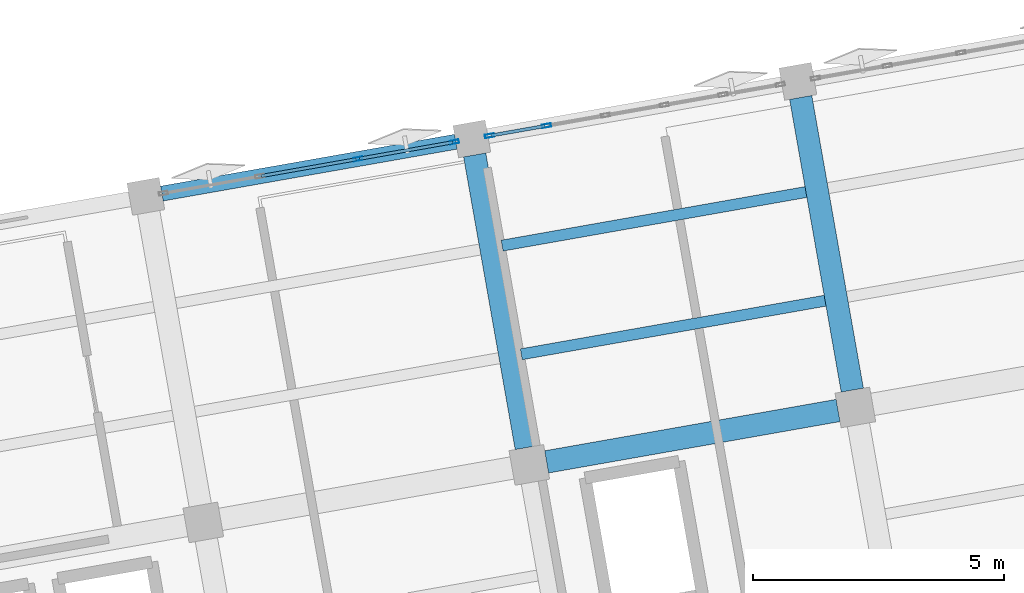
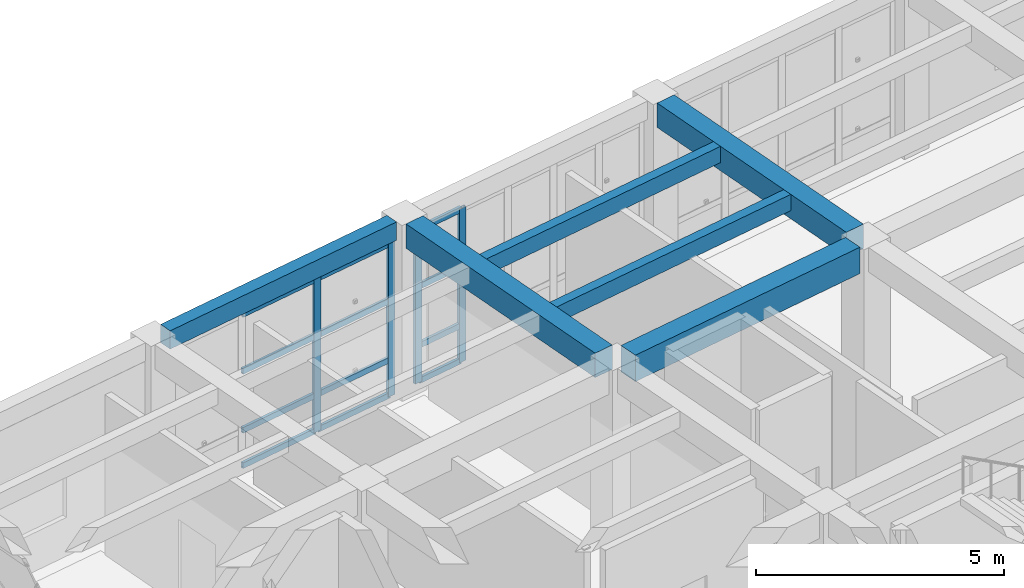
# One storey, part 8 of 39: 16 members, 6 beams, 2 elements without a shape of their own.
"""IFC4 building model written with IfcOpenShell, lengths in metres."""

from ifc_helpers import new_model, si_unit, direction, frame, origin, origin_2d, place, context, subcontext, project, spatial, rectangle, hollow_rectangle, extrude, material, layer, layer_set, material_profile, profile_set, type_object, element, aggregate, save


model = new_model("IFC4")

# Units and contexts
model_context = context("Model", 3, precision=1e-05, world=origin(), true_north=direction((0.0, 1.0)))
body_context = subcontext(model_context, "Body", "Model", "MODEL_VIEW")
ifc_project = project(units=[si_unit("LENGTHUNIT", "METRE"), si_unit("AREAUNIT", "SQUARE_METRE"), si_unit("VOLUMEUNIT", "CUBIC_METRE"), si_unit("PLANEANGLEUNIT", "RADIAN"), si_unit("MASSUNIT", "GRAM", prefix="KILO")], contexts=[model_context])

# Site, building, storey
site_placement = place(None, origin())
site = spatial("IfcSite", under=ifc_project, at=site_placement, CompositionType="ELEMENT")
building_placement = place(site_placement, origin())
building = spatial("IfcBuilding", under=site, at=building_placement, Name="Kharisveld Research Institute", CompositionType="ELEMENT")
storey_placement = place(building_placement, frame((0.0, 0.0, 18.60009765625)))
storey = spatial("IfcBuildingStorey", under=building, at=storey_placement, Name="L04", CompositionType="ELEMENT", Elevation=18.60009765625)

# Beams
ifc_material_1 = material(Name="Concrete C40/50", Category="concrete")
ifc_material_profile_1 = material_profile(ifc_material_1, rectangle(XDim=0.449951171875, YDim=0.60009765625, at=origin_2d()))
ifc_profile_set_1 = profile_set([ifc_material_profile_1], Name="Concrete C40/50")
beam_type_1 = type_object("IfcBeamType", Name="BM_RC_450x600", PredefinedType="BEAM", material=ifc_profile_set_1)
for number, where, z_axis, x_axis, name in (
    (1, (15.846435546875, 50.646240234375, 4.02001953125), (-0.173639592071, 0.984809266846, 0.0), (-0.984809266846, -0.173639592071, 0.0), "BM:V1:L04:V2_2"),
    (2, (22.34619140625, 51.79248046875, 4.02001953125), (-0.173639592071, 0.984809266846, 0.0), (-0.984809266846, -0.173639592071, 0.0), "BM:V1:L04:V3_2"),
):
    element("IfcBeam", number, at=place(storey_placement, frame(where, z_axis=z_axis, x_axis=x_axis)), inside=storey, type_object=beam_type_1, Name=name, PredefinedType="BEAM", context=body_context, shape_type="SweptSolid", body=[
        extrude(rectangle(XDim=0.449951171875, YDim=0.60009765625, at=origin_2d()), origin(), (0.0, 0.0, 1.0), 5.925048828125),
    ])
ifc_material_2 = material(Name="Concrete C40/50", Category="concrete")
ifc_material_profile_2 = material_profile(ifc_material_2, rectangle(XDim=0.449951171875, YDim=0.64990234375, at=origin_2d()))
ifc_profile_set_2 = profile_set([ifc_material_profile_2], Name="Concrete C40/50")
beam_type_2 = type_object("IfcBeamType", Name="BM_RC_450x650", PredefinedType="BEAM", material=ifc_profile_set_2)
beam_1_placement = place(storey_placement, frame((16.251953125, 50.3623046875, 3.994873046875), z_axis=(0.984803548023, 0.173672023659, 0.0), x_axis=(-0.173672023659, 0.984803548023, 0.0)))
element("IfcBeam", 3, at=beam_1_placement, inside=storey, type_object=beam_type_2, Name="BM:V1:L04:U2_2", PredefinedType="BEAM", context=body_context, shape_type="SweptSolid", body=[
    extrude(rectangle(XDim=0.449951171875, YDim=0.64990234375, at=origin_2d()), origin(), (0.0, 0.0, 1.0), 5.89990234375),
])

# Curtain wall, members
ifc_material_3 = material(Name="Thermally Broken Aluminium Curtain Wall", Category="aluminium")
ifc_layer_1 = layer(ifc_material_3, 0.159912109375)
ifc_layer_set_1 = layer_set([ifc_layer_1], Name="CW_SYS_06")
curtain_wall_type_1 = type_object("IfcCurtainWallType", Name="CW_SYS_06", PredefinedType="NOTDEFINED", material=ifc_layer_set_1)
curtain_wall_1_placement = place(storey_placement, origin())
curtain_wall_1 = element("IfcCurtainWall", 4, at=curtain_wall_1_placement, inside=storey, type_object=curtain_wall_type_1, Name="CW:V1:L04:N1", PredefinedType="NOTDEFINED")
ifc_material_4 = material(Name="Anodised Aluminium AW-6063-T6", Category="aluminium")
ifc_material_profile_3 = material_profile(ifc_material_4, hollow_rectangle(XDim=0.070068359375, YDim=0.179931640625, WallThickness=0.00439453125, at=origin_2d()))
ifc_profile_set_3 = profile_set([ifc_material_profile_3], Name="Anodised Aluminium AW-6063-T6")
member_type_1 = type_object("IfcMemberType", Name="CW_MUL_180", PredefinedType="MULLION", material=ifc_profile_set_3)
member_1_placement = place(storey_placement, frame((12.489501953125, 56.40087890625, 0.0), z_axis=(0.0, 0.0, 1.0), x_axis=(-0.173648295062, 0.984807732312, 0.0)))
member_1 = element("IfcMember", 5, at=member_1_placement, type_object=member_type_1, Name="CW-06 mullion 3", PredefinedType="MULLION", context=body_context, shape_type="SweptSolid", body=[
    extrude(hollow_rectangle(XDim=0.070068359375, YDim=0.179931640625, WallThickness=0.00439453125, at=origin_2d()), origin(), (0.0, 0.0, 1.0), 3.77978515625),
])
member_2_placement = place(storey_placement, frame((14.41162109375, 56.73974609375, 0.0), z_axis=(0.0, 0.0, 1.0), x_axis=(-0.173648295062, 0.984807732312, 0.0)))
member_2 = element("IfcMember", 6, at=member_2_placement, type_object=member_type_1, Name="CW-06 mullion 4", PredefinedType="MULLION", context=body_context, shape_type="SweptSolid", body=[
    extrude(hollow_rectangle(XDim=0.070068359375, YDim=0.179931640625, WallThickness=0.00439453125, at=origin_2d()), origin(), (0.0, 0.0, 1.0), 3.77978515625),
])

ifc_material_5 = material(Name="Thermally Broken Aluminium Curtain Wall", Category="aluminium")
ifc_layer_2 = layer(ifc_material_5, 0.159912109375)
ifc_layer_set_2 = layer_set([ifc_layer_2], Name="CW_SYS_01")
curtain_wall_type_2 = type_object("IfcCurtainWallType", Name="CW_SYS_01", PredefinedType="NOTDEFINED", material=ifc_layer_set_2)
curtain_wall_2_placement = place(storey_placement, origin())
curtain_wall_2 = element("IfcCurtainWall", 7, at=curtain_wall_2_placement, inside=storey, type_object=curtain_wall_type_2, Name="CW:V1:L04:N2", PredefinedType="NOTDEFINED")
member_3_placement = place(storey_placement, frame((15.11083984375, 56.863037109375, 0.0), z_axis=(0.0, 0.0, 1.0), x_axis=(-0.173648266375, 0.984807737371, 0.0)))
member_3 = element("IfcMember", 8, at=member_3_placement, type_object=member_type_1, Name="CW-01 mullion 1", PredefinedType="MULLION", context=body_context, shape_type="SweptSolid", body=[
    extrude(hollow_rectangle(XDim=0.070068359375, YDim=0.179931640625, WallThickness=0.00439453125, at=origin_2d()), origin(), (0.0, 0.0, 1.0), 3.77978515625),
])
member_4_placement = place(storey_placement, frame((16.250244140625, 57.06396484375, 0.0), z_axis=(0.0, 0.0, 1.0), x_axis=(-0.173648266375, 0.984807737371, 0.0)))
member_4 = element("IfcMember", 9, at=member_4_placement, type_object=member_type_1, Name="CW-01 mullion 2", PredefinedType="MULLION", context=body_context, shape_type="SweptSolid", body=[
    extrude(hollow_rectangle(XDim=0.070068359375, YDim=0.179931640625, WallThickness=0.00439453125, at=origin_2d()), origin(), (0.0, 0.0, 1.0), 3.77978515625),
])

# Member
ifc_material_6 = material(Name="Anodised Aluminium AW-6063-T6", Category="aluminium")
ifc_material_profile_4 = material_profile(ifc_material_6, hollow_rectangle(XDim=0.06494140625, YDim=0.139892578125, WallThickness=0.00390625, at=origin_2d()))
ifc_profile_set_4 = profile_set([ifc_material_profile_4], Name="Anodised Aluminium AW-6063-T6")
member_type_2 = type_object("IfcMemberType", Name="CW_TRN_140", PredefinedType="USERDEFINED", material=ifc_profile_set_4)
member_5_placement = place(storey_placement, frame((10.567626953125, 56.06201171875, 0.032470703125), z_axis=(0.984811758578, 0.173625459441, 0.0), x_axis=(-0.173625459441, 0.984811758578, 0.0)))
member_5 = element("IfcMember", 10, at=member_5_placement, type_object=member_type_2, Name="CW-06 transom 2.1", ObjectType="TRANSOM", PredefinedType="USERDEFINED", context=body_context, shape_type="SweptSolid", body=[
    extrude(hollow_rectangle(XDim=0.06494140625, YDim=0.139892578125, WallThickness=0.00390625, at=origin_2d()), origin(), (0.0, 0.0, 1.0), 1.91650390625),
])

member_6_placement = place(storey_placement, frame((10.567626953125, 56.06201171875, 0.89990234375), z_axis=(0.984811758578, 0.173625459441, 0.0), x_axis=(-0.173625459441, 0.984811758578, 0.0)))
member_6 = element("IfcMember", 11, at=member_6_placement, type_object=member_type_2, Name="CW-06 transom 2.2", ObjectType="TRANSOM", PredefinedType="USERDEFINED", context=body_context, shape_type="SweptSolid", body=[
    extrude(hollow_rectangle(XDim=0.06494140625, YDim=0.139892578125, WallThickness=0.00390625, at=origin_2d()), origin(), (0.0, 0.0, 1.0), 1.91650390625),
])

member_7_placement = place(storey_placement, frame((10.567626953125, 56.06201171875, 2.349853515625), z_axis=(0.984811758578, 0.173625459441, 0.0), x_axis=(-0.173625459441, 0.984811758578, 0.0)))
member_7 = element("IfcMember", 12, at=member_7_placement, type_object=member_type_2, Name="CW-06 transom 2.3", ObjectType="TRANSOM", PredefinedType="USERDEFINED", context=body_context, shape_type="SweptSolid", body=[
    extrude(hollow_rectangle(XDim=0.06494140625, YDim=0.139892578125, WallThickness=0.00390625, at=origin_2d()), origin(), (0.0, 0.0, 1.0), 1.91650390625),
])

member_8_placement = place(storey_placement, frame((10.567626953125, 56.06201171875, 3.747314453125), z_axis=(0.984811758578, 0.173625459441, 0.0), x_axis=(-0.173625459441, 0.984811758578, 0.0)))
member_8 = element("IfcMember", 13, at=member_8_placement, type_object=member_type_2, Name="CW-06 transom 2.4", ObjectType="TRANSOM", PredefinedType="USERDEFINED", context=body_context, shape_type="SweptSolid", body=[
    extrude(hollow_rectangle(XDim=0.06494140625, YDim=0.139892578125, WallThickness=0.00390625, at=origin_2d()), origin(), (0.0, 0.0, 1.0), 1.91650390625),
])

member_9_placement = place(storey_placement, frame((12.524169921875, 56.406982421875, 0.032470703125), z_axis=(0.984814892183, 0.173607684551, 0.0), x_axis=(-0.173607684551, 0.984814892183, 0.0)))
member_9 = element("IfcMember", 14, at=member_9_placement, type_object=member_type_2, Name="CW-06 transom 3.1", ObjectType="TRANSOM", PredefinedType="USERDEFINED", context=body_context, shape_type="SweptSolid", body=[
    extrude(hollow_rectangle(XDim=0.06494140625, YDim=0.139892578125, WallThickness=0.00390625, at=origin_2d()), origin(), (0.0, 0.0, 1.0), 1.881591796875),
])

member_10_placement = place(storey_placement, frame((12.524169921875, 56.406982421875, 0.89990234375), z_axis=(0.984814892183, 0.173607684551, 0.0), x_axis=(-0.173607684551, 0.984814892183, 0.0)))
member_10 = element("IfcMember", 15, at=member_10_placement, type_object=member_type_2, Name="CW-06 transom 3.2", ObjectType="TRANSOM", PredefinedType="USERDEFINED", context=body_context, shape_type="SweptSolid", body=[
    extrude(hollow_rectangle(XDim=0.06494140625, YDim=0.139892578125, WallThickness=0.00390625, at=origin_2d()), origin(), (0.0, 0.0, 1.0), 1.881591796875),
])

member_11_placement = place(storey_placement, frame((12.524169921875, 56.406982421875, 2.349853515625), z_axis=(0.984814892183, 0.173607684551, 0.0), x_axis=(-0.173607684551, 0.984814892183, 0.0)))
member_11 = element("IfcMember", 16, at=member_11_placement, type_object=member_type_2, Name="CW-06 transom 3.3", ObjectType="TRANSOM", PredefinedType="USERDEFINED", context=body_context, shape_type="SweptSolid", body=[
    extrude(hollow_rectangle(XDim=0.06494140625, YDim=0.139892578125, WallThickness=0.00390625, at=origin_2d()), origin(), (0.0, 0.0, 1.0), 1.881591796875),
])

member_12_placement = place(storey_placement, frame((12.524169921875, 56.406982421875, 3.747314453125), z_axis=(0.984814892183, 0.173607684551, 0.0), x_axis=(-0.173607684551, 0.984814892183, 0.0)))
member_12 = element("IfcMember", 17, at=member_12_placement, type_object=member_type_2, Name="CW-06 transom 3.4", ObjectType="TRANSOM", PredefinedType="USERDEFINED", context=body_context, shape_type="SweptSolid", body=[
    extrude(hollow_rectangle(XDim=0.06494140625, YDim=0.139892578125, WallThickness=0.00390625, at=origin_2d()), origin(), (0.0, 0.0, 1.0), 1.881591796875),
])

aggregate(curtain_wall_1, [member_1, member_2, member_5, member_6, member_7, member_8, member_9, member_10, member_11, member_12])

member_13_placement = place(storey_placement, frame((15.145263671875, 56.869140625, 0.032470703125), z_axis=(0.984815195723, 0.173605962667, 0.0), x_axis=(-0.173605962667, 0.984815195723, 0.0)))
member_13 = element("IfcMember", 18, at=member_13_placement, type_object=member_type_2, Name="CW-01 transom 1.1", ObjectType="TRANSOM", PredefinedType="USERDEFINED", context=body_context, shape_type="SweptSolid", body=[
    extrude(hollow_rectangle(XDim=0.06494140625, YDim=0.139892578125, WallThickness=0.00390625, at=origin_2d()), origin(), (0.0, 0.0, 1.0), 1.087158203125),
])

member_14_placement = place(storey_placement, frame((15.145263671875, 56.869140625, 0.89990234375), z_axis=(0.984815195723, 0.173605962667, 0.0), x_axis=(-0.173605962667, 0.984815195723, 0.0)))
member_14 = element("IfcMember", 19, at=member_14_placement, type_object=member_type_2, Name="CW-01 transom 1.2", ObjectType="TRANSOM", PredefinedType="USERDEFINED", context=body_context, shape_type="SweptSolid", body=[
    extrude(hollow_rectangle(XDim=0.06494140625, YDim=0.139892578125, WallThickness=0.00390625, at=origin_2d()), origin(), (0.0, 0.0, 1.0), 1.087158203125),
])

member_15_placement = place(storey_placement, frame((15.145263671875, 56.869140625, 2.349853515625), z_axis=(0.984815195723, 0.173605962667, 0.0), x_axis=(-0.173605962667, 0.984815195723, 0.0)))
member_15 = element("IfcMember", 20, at=member_15_placement, type_object=member_type_2, Name="CW-01 transom 1.3", ObjectType="TRANSOM", PredefinedType="USERDEFINED", context=body_context, shape_type="SweptSolid", body=[
    extrude(hollow_rectangle(XDim=0.06494140625, YDim=0.139892578125, WallThickness=0.00390625, at=origin_2d()), origin(), (0.0, 0.0, 1.0), 1.087158203125),
])

member_16_placement = place(storey_placement, frame((15.145263671875, 56.869140625, 3.747314453125), z_axis=(0.984815195723, 0.173605962667, 0.0), x_axis=(-0.173605962667, 0.984815195723, 0.0)))
member_16 = element("IfcMember", 21, at=member_16_placement, type_object=member_type_2, Name="CW-01 transom 1.4", ObjectType="TRANSOM", PredefinedType="USERDEFINED", context=body_context, shape_type="SweptSolid", body=[
    extrude(hollow_rectangle(XDim=0.06494140625, YDim=0.139892578125, WallThickness=0.00390625, at=origin_2d()), origin(), (0.0, 0.0, 1.0), 1.087158203125),
])

aggregate(curtain_wall_2, [member_3, member_4, member_13, member_14, member_15, member_16])

# Beams
ifc_material_7 = material(Name="Concrete C40/50", Category="concrete")
ifc_material_profile_5 = material_profile(ifc_material_7, rectangle(XDim=0.300048828125, YDim=0.449951171875, at=origin_2d()))
ifc_profile_set_5 = profile_set([ifc_material_profile_5], Name="Concrete C40/50")
beam_type_3 = type_object("IfcBeamType", Name="SP_RC_300x450", PredefinedType="SPANDREL", material=ifc_profile_set_5)
beam_2_placement = place(storey_placement, frame((8.58154296875, 55.711669921875, 4.094970703125), z_axis=(0.984807920462, 0.173647228007, 0.0), x_axis=(-0.173647228007, 0.984807920462, 0.0)))
element("IfcBeam", 22, at=beam_2_placement, inside=storey, type_object=beam_type_3, Name="BM:V1:L04:U1_3", PredefinedType="SPANDREL", context=body_context, shape_type="SweptSolid", body=[
    extrude(rectangle(XDim=0.300048828125, YDim=0.449951171875, at=origin_2d()), origin(), (0.0, 0.0, 1.0), 5.949951171875),
])
ifc_material_8 = material(Name="Concrete C40/50", Category="concrete")
ifc_material_profile_6 = material_profile(ifc_material_8, rectangle(XDim=0.219970703125, YDim=0.39990234375, at=origin_2d()))
ifc_profile_set_6 = profile_set([ifc_material_profile_6], Name="Concrete C40/50")
beam_type_4 = type_object("IfcBeamType", Name="WB_RC_220x400", PredefinedType="JOIST", material=ifc_profile_set_6)
for number, where, z_axis, x_axis, name in (
    (23, (15.746826171875, 52.50732421875, 4.119873046875), (0.984809923515, 0.173635867682, 0.0), (-0.173635867682, 0.984809923515, 0.0), "BM:V1:L04:J_2_2_R1"),
    (24, (15.36474609375, 54.673828125, 4.119873046875), (0.984809923515, 0.173635867682, 0.0), (-0.173635867682, 0.984809923515, 0.0), "BM:V1:L04:J_2_2_R2"),
):
    element("IfcBeam", number, at=place(storey_placement, frame(where, z_axis=z_axis, x_axis=x_axis)), inside=storey, type_object=beam_type_4, Name=name, PredefinedType="JOIST", context=body_context, shape_type="SweptSolid", body=[
        extrude(rectangle(XDim=0.219970703125, YDim=0.39990234375, at=origin_2d()), origin(), (0.0, 0.0, 1.0), 6.150146484375),
    ])

save(model, "model.ifc")
